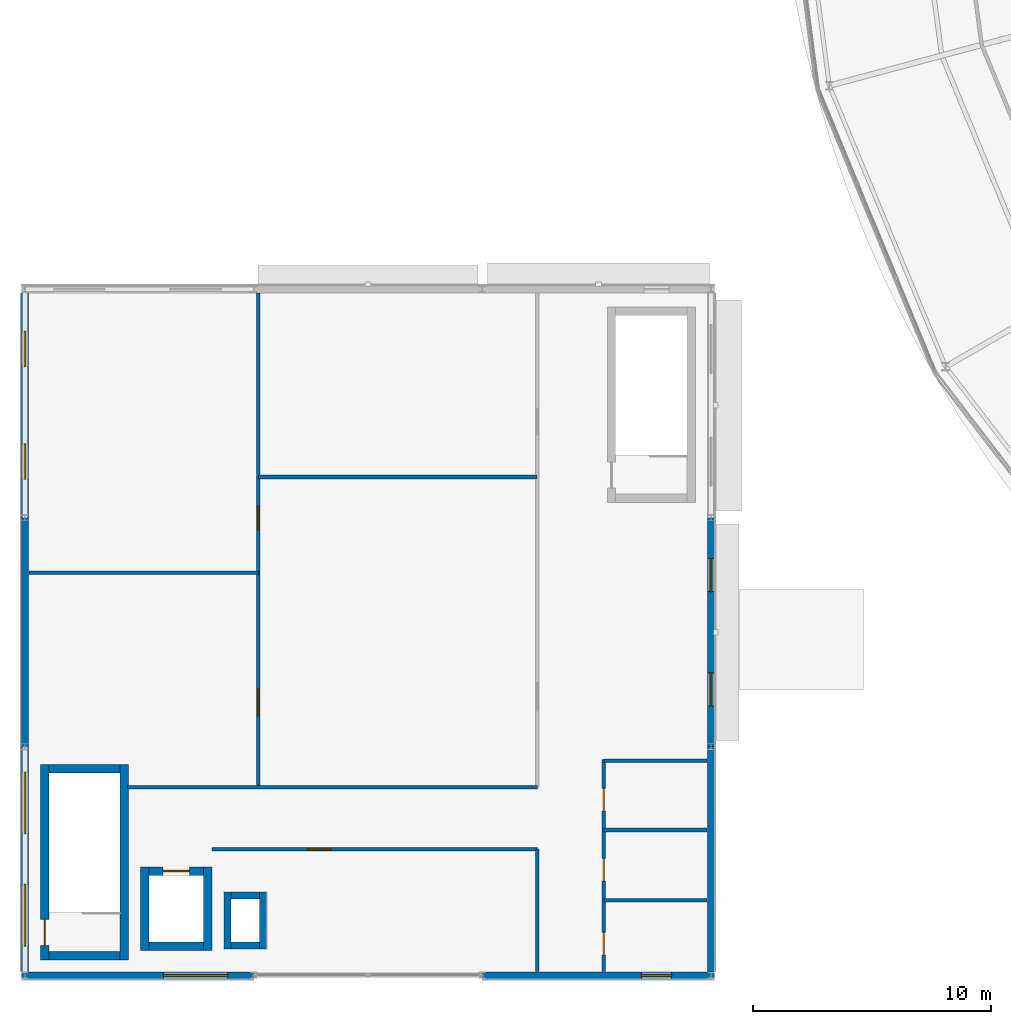
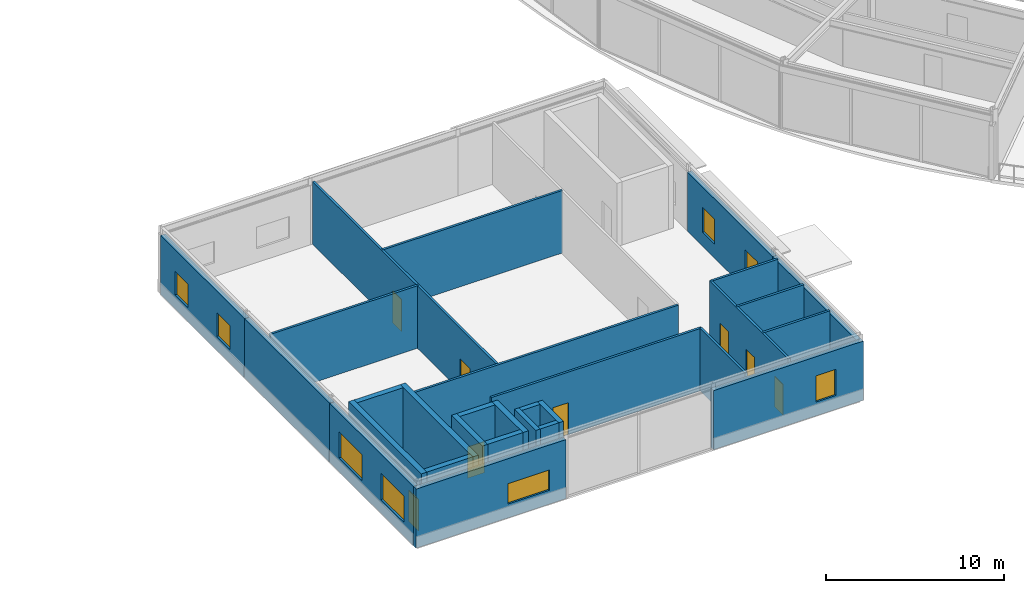
# One storey, part 100 of 133: 29 walls, 8 doors, 8 windows, 16 openings.
"""IFC4 building model written with IfcOpenShell, lengths in metres."""

from ifc_helpers import new_model, si_unit, direction, frame, frame_2d, origin, place, context, subcontext, project, spatial, rectangle, extrude, material, layer, layer_set, type_object, element, fill, save


model = new_model("IFC4")

# Units and contexts
model_context = context("Model", 3, precision=1e-05, world=origin(), true_north=direction((0.0, 1.0)))
body_context = subcontext(model_context, "Body", "Model", "MODEL_VIEW")
ifc_project = project(units=[si_unit("LENGTHUNIT", "METRE"), si_unit("AREAUNIT", "SQUARE_METRE"), si_unit("VOLUMEUNIT", "CUBIC_METRE"), si_unit("PLANEANGLEUNIT", "RADIAN"), si_unit("MASSUNIT", "GRAM", prefix="KILO")], contexts=[model_context])

# Site, building, storey
site_placement = place(None, origin())
site = spatial("IfcSite", under=ifc_project, at=site_placement, CompositionType="ELEMENT")
building_placement = place(site_placement, origin())
building = spatial("IfcBuilding", under=site, at=building_placement, Name="Almandine Court Research Institute", CompositionType="ELEMENT")
storey_placement = place(building_placement, frame((0.0, 0.0, 9.800048828125)))
storey = spatial("IfcBuildingStorey", under=building, at=storey_placement, Name="L02", CompositionType="ELEMENT", Elevation=9.800048828125)

# Wall, openings, windows
ifc_material_1 = material(Name="Acoustic Lecture Pavilion Masonry Wall", Category="masonry")
ifc_layer_1 = layer(ifc_material_1, 0.31005859375)
ifc_layer_set_1 = layer_set([ifc_layer_1], Name="Acoustic Lecture Pavilion Masonry Wall")
wall_type_1 = type_object("IfcWallType", Name="Wall-EXT-ACOU-310", PredefinedType="SOLIDWALL", material=ifc_layer_set_1)
wall_1_placement = place(storey_placement, frame((6.0, 6.158935546875, 0.0), z_axis=(0.0, 0.0, 1.0), x_axis=(0.0, 1.0, 0.0)))
wall_1 = element("IfcWall", 1, at=wall_1_placement, inside=storey, type_object=wall_type_1, Name="L02 Lecture Pavilion West Acoustic Wall 1", PredefinedType="SOLIDWALL", context=body_context, shape_type="SweptSolid", body=[
    extrude(rectangle(XDim=9.43701171875, YDim=0.31005859375, at=frame_2d((4.718505859375, 0.0))), origin(), (0.0, 0.0, 1.0), 4.06396484375),
])
opening_1_placement = place(wall_1_placement, frame((1.06396484375, 0.0, 0.949951171875)))
opening_1 = element("IfcOpeningElement", 2, at=opening_1_placement, cuts=wall_1, Name="Opening WN-13", PredefinedType="OPENING", context=body_context, shape_type="SweptSolid", body=[
    extrude(rectangle(XDim=2.590087890625, YDim=1.800048828125, at=frame_2d((1.294921875, 0.89990234375))), frame((0.0, 0.1650390625, 0.0), z_axis=(0.0, -1.0, 0.0), x_axis=(1.0, 0.0, 0.0)), (0.0, 0.0, 1.0), 0.330078125),
])
opening_2_placement = place(wall_1_placement, frame((5.782958984375, 0.0, 0.949951171875)))
opening_2 = element("IfcOpeningElement", 3, at=opening_2_placement, cuts=wall_1, Name="Opening WN-13", PredefinedType="OPENING", context=body_context, shape_type="SweptSolid", body=[
    extrude(rectangle(XDim=2.590087890625, YDim=1.800048828125, at=frame_2d((1.294921875, 0.89990234375))), frame((0.0, 0.1650390625, 0.0), z_axis=(0.0, -1.0, 0.0), x_axis=(1.0, 0.0, 0.0)), (0.0, 0.0, 1.0), 0.330078125),
])
ifc_material_2 = material(Name="Thermally Broken Low-E Double-Glazed Window", Category="glass")
window_type_1 = type_object("IfcWindowType", Name="Win-WN-13-2590x1800", PartitioningType="SINGLE_PANEL", PredefinedType="WINDOW", material=ifc_material_2)
window_1_placement = place(opening_1_placement, origin())
window_1 = element("IfcWindow", 4, at=window_1_placement, inside=storey, type_object=window_type_1, Name="L02 Modular Recessed Low-E Window 22", OverallHeight=1.800048828125, OverallWidth=2.590087890625, PartitioningType="SINGLE_PANEL", PredefinedType="WINDOW", context=body_context, shape_type="SweptSolid", body=[
    extrude(rectangle(XDim=2.590087890625, YDim=1.800048828125, at=frame_2d((1.294921875, 0.89990234375))), frame((0.0, 0.030029296875, 0.0), z_axis=(0.0, -1.0, 0.0), x_axis=(1.0, 0.0, 0.0)), (0.0, 0.0, 1.0), 0.06005859375),
])
fill(opening_1, window_1)
window_2_placement = place(opening_2_placement, origin())
window_2 = element("IfcWindow", 5, at=window_2_placement, inside=storey, type_object=window_type_1, Name="L02 Modular Recessed Low-E Window 23", OverallHeight=1.800048828125, OverallWidth=2.590087890625, PartitioningType="SINGLE_PANEL", PredefinedType="WINDOW", context=body_context, shape_type="SweptSolid", body=[
    extrude(rectangle(XDim=2.590087890625, YDim=1.800048828125, at=frame_2d((1.294921875, 0.89990234375))), frame((0.0, 0.030029296875, 0.0), z_axis=(0.0, -1.0, 0.0), x_axis=(1.0, 0.0, 0.0)), (0.0, 0.0, 1.0), 0.06005859375),
])
fill(opening_2, window_2)

# Wall
wall_2_placement = place(storey_placement, frame((6.0, 15.60400390625, 0.0), z_axis=(0.0, 0.0, 1.0), x_axis=(0.0, 1.0, 0.0)))
element("IfcWall", 6, at=wall_2_placement, inside=storey, type_object=wall_type_1, Name="L02 Lecture Pavilion West Acoustic Wall 2", PredefinedType="SOLIDWALL", context=body_context, shape_type="SweptSolid", body=[
    extrude(rectangle(XDim=9.592041015625, YDim=0.31005859375, at=frame_2d((4.7958984375, 0.0))), origin(), (0.0, 0.0, 1.0), 4.06396484375),
])

# Wall, openings, windows
wall_3_placement = place(storey_placement, frame((6.0, 25.2041015625, 0.0), z_axis=(0.0, 0.0, 1.0), x_axis=(0.0, 1.0, 0.0)))
wall_3 = element("IfcWall", 7, at=wall_3_placement, inside=storey, type_object=wall_type_1, Name="L02 Lecture Pavilion West Acoustic Wall 3", PredefinedType="SOLIDWALL", context=body_context, shape_type="SweptSolid", body=[
    extrude(rectangle(XDim=9.43701171875, YDim=0.31005859375, at=frame_2d((4.718505859375, 0.0))), origin(), (0.0, 0.0, 1.0), 4.06396484375),
])
opening_3_placement = place(wall_3_placement, frame((1.614013671875, 0.0, 0.949951171875)))
opening_3 = element("IfcOpeningElement", 8, at=opening_3_placement, cuts=wall_3, Name="Opening WN-14", PredefinedType="OPENING", context=body_context, shape_type="SweptSolid", body=[
    extrude(rectangle(XDim=1.489990234375, YDim=1.639892578125, at=frame_2d((0.7451171875, 0.81982421875))), frame((0.0, 0.1650390625, 0.0), z_axis=(0.0, -1.0, 0.0), x_axis=(1.0, 0.0, 0.0)), (0.0, 0.0, 1.0), 0.330078125),
])
opening_4_placement = place(wall_3_placement, frame((6.3330078125, 0.0, 0.949951171875)))
opening_4 = element("IfcOpeningElement", 9, at=opening_4_placement, cuts=wall_3, Name="Opening WN-14", PredefinedType="OPENING", context=body_context, shape_type="SweptSolid", body=[
    extrude(rectangle(XDim=1.489990234375, YDim=1.639892578125, at=frame_2d((0.7451171875, 0.81982421875))), frame((0.0, 0.1650390625, 0.0), z_axis=(0.0, -1.0, 0.0), x_axis=(1.0, 0.0, 0.0)), (0.0, 0.0, 1.0), 0.330078125),
])
window_type_2 = type_object("IfcWindowType", Name="Win-WN-14-1490x1640", PartitioningType="SINGLE_PANEL", PredefinedType="WINDOW", material=ifc_material_2)
window_3_placement = place(opening_3_placement, origin())
window_3 = element("IfcWindow", 10, at=window_3_placement, inside=storey, type_object=window_type_2, Name="L02 Modular Recessed Low-E Window 24", OverallHeight=1.639892578125, OverallWidth=1.489990234375, PartitioningType="SINGLE_PANEL", PredefinedType="WINDOW", context=body_context, shape_type="SweptSolid", body=[
    extrude(rectangle(XDim=1.489990234375, YDim=1.639892578125, at=frame_2d((0.7451171875, 0.81982421875))), frame((0.0, 0.030029296875, 0.0), z_axis=(0.0, -1.0, 0.0), x_axis=(1.0, 0.0, 0.0)), (0.0, 0.0, 1.0), 0.06005859375),
])
fill(opening_3, window_3)
window_4_placement = place(opening_4_placement, origin())
window_4 = element("IfcWindow", 11, at=window_4_placement, inside=storey, type_object=window_type_2, Name="L02 Modular Recessed Low-E Window 25", OverallHeight=1.639892578125, OverallWidth=1.489990234375, PartitioningType="SINGLE_PANEL", PredefinedType="WINDOW", context=body_context, shape_type="SweptSolid", body=[
    extrude(rectangle(XDim=1.489990234375, YDim=1.639892578125, at=frame_2d((0.7451171875, 0.81982421875))), frame((0.0, 0.030029296875, 0.0), z_axis=(0.0, -1.0, 0.0), x_axis=(1.0, 0.0, 0.0)), (0.0, 0.0, 1.0), 0.06005859375),
])
fill(opening_4, window_4)

# Wall
ifc_material_3 = material(Name="Insulated Ochre Terracotta Rainscreen Wall", Category="masonry")
ifc_layer_2 = layer(ifc_material_3, 0.2900390625)
ifc_layer_set_2 = layer_set([ifc_layer_2], Name="Insulated Ochre Terracotta Rainscreen Wall")
wall_type_2 = type_object("IfcWallType", Name="Wall-EXT-TERR-290", PredefinedType="SOLIDWALL", material=ifc_layer_set_2)
wall_4_placement = place(storey_placement, frame((34.800048828125, 15.595947265625, 0.0), z_axis=(0.0, 0.0, 1.0), x_axis=(0.0, -1.0, 0.0)))
element("IfcWall", 12, at=wall_4_placement, inside=storey, type_object=wall_type_2, Name="L02 Lecture Pavilion East Wall 1", PredefinedType="SOLIDWALL", context=body_context, shape_type="SweptSolid", body=[
    extrude(rectangle(XDim=9.447021484375, YDim=0.2900390625, at=frame_2d((4.7236328125, 0.0))), origin(), (0.0, 0.0, 1.0), 4.06396484375),
])

# Wall, openings, windows
wall_5_placement = place(storey_placement, frame((34.800048828125, 25.196044921875, 0.0), z_axis=(0.0, 0.0, 1.0), x_axis=(0.0, -1.0, 0.0)))
wall_5 = element("IfcWall", 13, at=wall_5_placement, inside=storey, type_object=wall_type_2, Name="L02 Lecture Pavilion East Wall 2", PredefinedType="SOLIDWALL", context=body_context, shape_type="SweptSolid", body=[
    extrude(rectangle(XDim=9.592041015625, YDim=0.2900390625, at=frame_2d((4.7958984375, 0.0))), origin(), (0.0, 0.0, 1.0), 4.06396484375),
])
opening_5_placement = place(wall_5_placement, frame((1.7080078125, 0.0, 0.949951171875)))
opening_5 = element("IfcOpeningElement", 14, at=opening_5_placement, cuts=wall_5, Name="Opening WN-17", PredefinedType="OPENING", context=body_context, shape_type="SweptSolid", body=[
    extrude(rectangle(XDim=1.3798828125, YDim=1.719970703125, at=frame_2d((0.68994140625, 0.85986328125))), frame((0.0, 0.155029296875, 0.0), z_axis=(0.0, -1.0, 0.0), x_axis=(1.0, 0.0, 0.0)), (0.0, 0.0, 1.0), 0.31005859375),
])
opening_6_placement = place(wall_5_placement, frame((6.50390625, 0.0, 0.949951171875)))
opening_6 = element("IfcOpeningElement", 15, at=opening_6_placement, cuts=wall_5, Name="Opening WN-17", PredefinedType="OPENING", context=body_context, shape_type="SweptSolid", body=[
    extrude(rectangle(XDim=1.3798828125, YDim=1.719970703125, at=frame_2d((0.68994140625, 0.85986328125))), frame((0.0, 0.155029296875, 0.0), z_axis=(0.0, -1.0, 0.0), x_axis=(1.0, 0.0, 0.0)), (0.0, 0.0, 1.0), 0.31005859375),
])
window_type_3 = type_object("IfcWindowType", Name="Win-WN-17-1380x1720", PartitioningType="SINGLE_PANEL", PredefinedType="WINDOW", material=ifc_material_2)
window_5_placement = place(opening_5_placement, origin())
window_5 = element("IfcWindow", 16, at=window_5_placement, inside=storey, type_object=window_type_3, Name="L02 Modular Recessed Low-E Window 29", OverallHeight=1.719970703125, OverallWidth=1.3798828125, PartitioningType="SINGLE_PANEL", PredefinedType="WINDOW", context=body_context, shape_type="SweptSolid", body=[
    extrude(rectangle(XDim=1.3798828125, YDim=1.719970703125, at=frame_2d((0.68994140625, 0.85986328125))), frame((0.0, 0.030029296875, 0.0), z_axis=(0.0, -1.0, 0.0), x_axis=(1.0, 0.0, 0.0)), (0.0, 0.0, 1.0), 0.06005859375),
])
fill(opening_5, window_5)
window_6_placement = place(opening_6_placement, origin())
window_6 = element("IfcWindow", 17, at=window_6_placement, inside=storey, type_object=window_type_3, Name="L02 Modular Recessed Low-E Window 30", OverallHeight=1.719970703125, OverallWidth=1.3798828125, PartitioningType="SINGLE_PANEL", PredefinedType="WINDOW", context=body_context, shape_type="SweptSolid", body=[
    extrude(rectangle(XDim=1.3798828125, YDim=1.719970703125, at=frame_2d((0.68994140625, 0.85986328125))), frame((0.0, 0.030029296875, 0.0), z_axis=(0.0, -1.0, 0.0), x_axis=(1.0, 0.0, 0.0)), (0.0, 0.0, 1.0), 0.06005859375),
])
fill(opening_6, window_6)

# Wall, opening, window
wall_6_placement = place(storey_placement, frame((15.595947265625, 6.0, 0.0), z_axis=(0.0, 0.0, 1.0), x_axis=(-1.0, 0.0, 0.0)))
wall_6 = element("IfcWall", 18, at=wall_6_placement, inside=storey, type_object=wall_type_2, Name="L02 Lecture Pavilion South Boulevard Wall 1", PredefinedType="SOLIDWALL", context=body_context, shape_type="SweptSolid", body=[
    extrude(rectangle(XDim=9.740966796875, YDim=0.2900390625, at=frame_2d((4.87060546875, 0.0))), origin(), (0.0, 0.0, 1.0), 4.06396484375),
])
opening_7_placement = place(wall_6_placement, frame((1.0849609375, 0.0, 0.949951171875)))
opening_7 = element("IfcOpeningElement", 19, at=opening_7_placement, cuts=wall_6, Name="Opening WN-19", PredefinedType="OPENING", context=body_context, shape_type="SweptSolid", body=[
    extrude(rectangle(XDim=2.699951171875, YDim=1.39990234375, at=frame_2d((1.35009765625, 0.699951171875))), frame((0.0, 0.155029296875, 0.0), z_axis=(0.0, -1.0, 0.0), x_axis=(1.0, 0.0, 0.0)), (0.0, 0.0, 1.0), 0.31005859375),
])
window_type_4 = type_object("IfcWindowType", Name="Win-WN-19-2700x1400", PartitioningType="SINGLE_PANEL", PredefinedType="WINDOW", material=ifc_material_2)
window_7_placement = place(opening_7_placement, origin())
window_7 = element("IfcWindow", 20, at=window_7_placement, inside=storey, type_object=window_type_4, Name="L02 Modular Recessed Low-E Window 33", OverallHeight=1.39990234375, OverallWidth=2.699951171875, PartitioningType="SINGLE_PANEL", PredefinedType="WINDOW", context=body_context, shape_type="SweptSolid", body=[
    extrude(rectangle(XDim=2.699951171875, YDim=1.39990234375, at=frame_2d((1.35009765625, 0.699951171875))), frame((0.0, 0.030029296875, 0.0), z_axis=(0.0, -1.0, 0.0), x_axis=(1.0, 0.0, 0.0)), (0.0, 0.0, 1.0), 0.06005859375),
])
fill(opening_7, window_7)

wall_7_placement = place(storey_placement, frame((34.945068359375, 6.0, 0.0), z_axis=(0.0, 0.0, 1.0), x_axis=(-1.0, 0.0, 0.0)))
wall_7 = element("IfcWall", 21, at=wall_7_placement, inside=storey, type_object=wall_type_2, Name="L02 Lecture Pavilion South Boulevard Wall 3", PredefinedType="SOLIDWALL", context=body_context, shape_type="SweptSolid", body=[
    extrude(rectangle(XDim=9.740966796875, YDim=0.2900390625, at=frame_2d((4.87060546875, 0.0))), origin(), (0.0, 0.0, 1.0), 4.06396484375),
])
opening_8_placement = place(wall_7_placement, frame((1.800048828125, 0.0, 0.949951171875)))
opening_8 = element("IfcOpeningElement", 22, at=opening_8_placement, cuts=wall_7, Name="Opening WN-20", PredefinedType="OPENING", context=body_context, shape_type="SweptSolid", body=[
    extrude(rectangle(XDim=1.27001953125, YDim=1.800048828125, at=frame_2d((0.635009765625, 0.89990234375))), frame((0.0, 0.155029296875, 0.0), z_axis=(0.0, -1.0, 0.0), x_axis=(1.0, 0.0, 0.0)), (0.0, 0.0, 1.0), 0.31005859375),
])
window_type_5 = type_object("IfcWindowType", Name="Win-WN-20-1270x1800", PartitioningType="SINGLE_PANEL", PredefinedType="WINDOW", material=ifc_material_2)
window_8_placement = place(opening_8_placement, origin())
window_8 = element("IfcWindow", 23, at=window_8_placement, inside=storey, type_object=window_type_5, Name="L02 Modular Recessed Low-E Window 34", OverallHeight=1.800048828125, OverallWidth=1.27001953125, PartitioningType="SINGLE_PANEL", PredefinedType="WINDOW", context=body_context, shape_type="SweptSolid", body=[
    extrude(rectangle(XDim=1.27001953125, YDim=1.800048828125, at=frame_2d((0.635009765625, 0.89990234375))), frame((0.0, 0.030029296875, 0.0), z_axis=(0.0, -1.0, 0.0), x_axis=(1.0, 0.0, 0.0)), (0.0, 0.0, 1.0), 0.06005859375),
])
fill(opening_8, window_8)

# Walls
ifc_material_4 = material(Name="Acoustic Steel-Stud Gypsum Partition Wall", Category="steel")
ifc_layer_3 = layer(ifc_material_4, 0.14990234375)
ifc_layer_set_3 = layer_set([ifc_layer_3], Name="Acoustic Steel-Stud Gypsum Partition Wall")
wall_type_3 = type_object("IfcWallType", Name="Wall-PART-150", PredefinedType="PARTITIONING", material=ifc_layer_set_3)
for number, where, z_axis, x_axis, name in (
    (24, (30.300048828125, 9.14990234375, 0.0), (0.0, 0.0, 1.0), (1.0, 0.0, 0.0), "L02 Interior Partition W-V1-L02-WCH-1"),
    (25, (30.300048828125, 12.10009765625, 0.0), (0.0, 0.0, 1.0), (1.0, 0.0, 0.0), "L02 Interior Partition W-V1-L02-WCH-2"),
    (26, (30.300048828125, 15.0, 0.0), (0.0, 0.0, 1.0), (1.0, 0.0, 0.0), "L02 Interior Partition W-V1-L02-WCH-3"),
):
    element("IfcWall", number, at=place(storey_placement, frame(where, z_axis=z_axis, x_axis=x_axis)), inside=storey, type_object=wall_type_3, Name=name, PredefinedType="PARTITIONING", context=body_context, shape_type="SweptSolid", body=[
        extrude(rectangle(XDim=4.33984375, YDim=0.14990234375, at=frame_2d((2.169921875, 0.0))), origin(), (0.0, 0.0, 1.0), 4.300048828125),
    ])

# Wall, openings, doors
wall_8_placement = place(storey_placement, frame((30.300048828125, 6.159912109375, 0.0), z_axis=(0.0, 0.0, 1.0), x_axis=(0.0, 1.0, 0.0)))
wall_8 = element("IfcWall", 27, at=wall_8_placement, inside=storey, type_object=wall_type_3, Name="L02 Interior Partition W-V1-L02-WC-ALL", PredefinedType="PARTITIONING", context=body_context, shape_type="SweptSolid", body=[
    extrude(rectangle(XDim=8.89013671875, YDim=0.14990234375, at=frame_2d((4.445068359375, 0.0))), origin(), (0.0, 0.0, 1.0), 4.300048828125),
])
opening_9_placement = place(wall_8_placement, frame((0.68994140625, 0.0, 0.0)))
opening_9 = element("IfcOpeningElement", 28, at=opening_9_placement, cuts=wall_8, Name="Opening D-01", PredefinedType="OPENING", context=body_context, shape_type="SweptSolid", body=[
    extrude(rectangle(XDim=0.949951171875, YDim=2.10009765625, at=frame_2d((0.47509765625, 1.050048828125))), frame((0.0, 0.0849609375, 0.0), z_axis=(0.0, -1.0, 0.0), x_axis=(1.0, 0.0, 0.0)), (0.0, 0.0, 1.0), 0.169921875),
])
opening_10_placement = place(wall_8_placement, frame((3.7900390625, 0.0, 0.0)))
opening_10 = element("IfcOpeningElement", 29, at=opening_10_placement, cuts=wall_8, Name="Opening D-01", PredefinedType="OPENING", context=body_context, shape_type="SweptSolid", body=[
    extrude(rectangle(XDim=0.949951171875, YDim=2.10009765625, at=frame_2d((0.47509765625, 1.050048828125))), frame((0.0, 0.0849609375, 0.0), z_axis=(0.0, -1.0, 0.0), x_axis=(1.0, 0.0, 0.0)), (0.0, 0.0, 1.0), 0.169921875),
])
opening_11_placement = place(wall_8_placement, frame((6.739990234375, 0.0, 0.0)))
opening_11 = element("IfcOpeningElement", 30, at=opening_11_placement, cuts=wall_8, Name="Opening D-01", PredefinedType="OPENING", context=body_context, shape_type="SweptSolid", body=[
    extrude(rectangle(XDim=0.949951171875, YDim=2.10009765625, at=frame_2d((0.47509765625, 1.050048828125))), frame((0.0, 0.0849609375, 0.0), z_axis=(0.0, -1.0, 0.0), x_axis=(1.0, 0.0, 0.0)), (0.0, 0.0, 1.0), 0.169921875),
])
ifc_material_5 = material(Name="Solid-Core Timber Acoustic Room Door", Category="wood")
door_type_1 = type_object("IfcDoorType", Name="Door-INT-950", OperationType="NOTDEFINED", PredefinedType="DOOR", material=ifc_material_5)
door_1_placement = place(opening_9_placement, origin())
door_1 = element("IfcDoor", 31, at=door_1_placement, inside=storey, type_object=door_type_1, Name="L02 V1 Male Toilet Door", OperationType="SINGLE_SWING_LEFT", OverallHeight=2.10009765625, OverallWidth=0.949951171875, PredefinedType="DOOR", context=body_context, shape_type="SweptSolid", body=[
    extrude(rectangle(XDim=0.949951171875, YDim=2.10009765625, at=frame_2d((0.47509765625, 1.050048828125))), frame((0.0, 0.02490234375, 0.0), z_axis=(0.0, -1.0, 0.0), x_axis=(1.0, 0.0, 0.0)), (0.0, 0.0, 1.0), 0.050048828125),
])
fill(opening_9, door_1)
door_2_placement = place(opening_10_placement, origin())
door_2 = element("IfcDoor", 32, at=door_2_placement, inside=storey, type_object=door_type_1, Name="L02 V1 Female Toilet Door", OperationType="SINGLE_SWING_RIGHT", OverallHeight=2.10009765625, OverallWidth=0.949951171875, PredefinedType="DOOR", context=body_context, shape_type="SweptSolid", body=[
    extrude(rectangle(XDim=0.949951171875, YDim=2.10009765625, at=frame_2d((0.47509765625, 1.050048828125))), frame((0.0, 0.02490234375, 0.0), z_axis=(0.0, -1.0, 0.0), x_axis=(1.0, 0.0, 0.0)), (0.0, 0.0, 1.0), 0.050048828125),
])
fill(opening_10, door_2)
door_3_placement = place(opening_11_placement, origin())
door_3 = element("IfcDoor", 33, at=door_3_placement, inside=storey, type_object=door_type_1, Name="L02 V1 Accessible WC Door", OperationType="SINGLE_SWING_LEFT", OverallHeight=2.10009765625, OverallWidth=0.949951171875, PredefinedType="DOOR", context=body_context, shape_type="SweptSolid", body=[
    extrude(rectangle(XDim=0.949951171875, YDim=2.10009765625, at=frame_2d((0.47509765625, 1.050048828125))), frame((0.0, 0.02490234375, 0.0), z_axis=(0.0, -1.0, 0.0), x_axis=(1.0, 0.0, 0.0)), (0.0, 0.0, 1.0), 0.050048828125),
])
fill(opening_11, door_3)

# Wall, opening, door
wall_9_placement = place(storey_placement, frame((13.85009765625, 11.300048828125, 0.0), z_axis=(0.0, 0.0, 1.0), x_axis=(1.0, 0.0, 0.0)))
wall_9 = element("IfcWall", 34, at=wall_9_placement, inside=storey, type_object=wall_type_3, Name="L02 Interior Partition W-V1-L02-S", PredefinedType="PARTITIONING", context=body_context, shape_type="SweptSolid", body=[
    extrude(rectangle(XDim=13.669921875, YDim=0.14990234375, at=frame_2d((6.8349609375, 0.0))), origin(), (0.0, 0.0, 1.0), 4.300048828125),
])
opening_12_placement = place(wall_9_placement, frame((4.0, 0.0, 0.0)))
opening_12 = element("IfcOpeningElement", 35, at=opening_12_placement, cuts=wall_9, Name="Opening D-02", PredefinedType="OPENING", context=body_context, shape_type="SweptSolid", body=[
    extrude(rectangle(XDim=1.0, YDim=2.199951171875, at=frame_2d((0.5, 1.10009765625))), frame((0.0, 0.0849609375, 0.0), z_axis=(0.0, -1.0, 0.0), x_axis=(1.0, 0.0, 0.0)), (0.0, 0.0, 1.0), 0.169921875),
])
ifc_material_6 = material(Name="Solid-Core Timber Researcher Office Door", Category="wood")
door_type_2 = type_object("IfcDoorType", Name="Door-INT-1000", OperationType="NOTDEFINED", PredefinedType="DOOR", material=ifc_material_6)
door_4_placement = place(opening_12_placement, origin())
door_4 = element("IfcDoor", 36, at=door_4_placement, inside=storey, type_object=door_type_2, Name="L02 Faculty Study Door", OperationType="SINGLE_SWING_RIGHT", OverallHeight=2.199951171875, OverallWidth=1.0, PredefinedType="DOOR", context=body_context, shape_type="SweptSolid", body=[
    extrude(rectangle(XDim=1.0, YDim=2.199951171875, at=frame_2d((0.5, 1.10009765625))), frame((0.0, 0.02490234375, 0.0), z_axis=(0.0, -1.0, 0.0), x_axis=(1.0, 0.0, 0.0)), (0.0, 0.0, 1.0), 0.050048828125),
])
fill(opening_12, door_4)

# Walls
wall_10_placement = place(storey_placement, frame((27.5, 6.159912109375, 0.0), z_axis=(0.0, 0.0, 1.0), x_axis=(0.0, 1.0, 0.0)))
element("IfcWall", 37, at=wall_10_placement, inside=storey, type_object=wall_type_3, Name="L02 Interior Partition W-V1-L02-SE", PredefinedType="PARTITIONING", context=body_context, shape_type="SweptSolid", body=[
    extrude(rectangle(XDim=5.14013671875, YDim=0.14990234375, at=frame_2d((2.570068359375, 0.0))), origin(), (0.0, 0.0, 1.0), 4.300048828125),
])
wall_11_placement = place(storey_placement, frame((10.300048828125, 13.89990234375, 0.0), z_axis=(0.0, 0.0, 1.0), x_axis=(1.0, 0.0, 0.0)))
element("IfcWall", 38, at=wall_11_placement, inside=storey, type_object=wall_type_3, Name="L02 Interior Partition W-V1-L02-CS", PredefinedType="PARTITIONING", context=body_context, shape_type="SweptSolid", body=[
    extrude(rectangle(XDim=17.219970703125, YDim=0.14990234375, at=frame_2d((8.60986328125, 0.0))), origin(), (0.0, 0.0, 1.0), 4.300048828125),
])
wall_12_placement = place(storey_placement, frame((15.800048828125, 26.919921875, 0.0), z_axis=(0.0, 0.0, 1.0), x_axis=(1.0, 0.0, 0.0)))
element("IfcWall", 39, at=wall_12_placement, inside=storey, type_object=wall_type_3, Name="L02 Interior Partition W-V1-L02-CDIV", PredefinedType="PARTITIONING", context=body_context, shape_type="SweptSolid", body=[
    extrude(rectangle(XDim=11.699951171875, YDim=0.14990234375, at=frame_2d((5.85009765625, 0.0))), origin(), (0.0, 0.0, 1.0), 4.300048828125),
])

# Wall, openings, doors
wall_13_placement = place(storey_placement, frame((15.800048828125, 13.89990234375, 0.0), z_axis=(0.0, 0.0, 1.0), x_axis=(0.0, 1.0, 0.0)))
wall_13 = element("IfcWall", 40, at=wall_13_placement, inside=storey, type_object=wall_type_3, Name="L02 Interior Partition W-V1-L02-W", PredefinedType="PARTITIONING", context=body_context, shape_type="SweptSolid", body=[
    extrude(rectangle(XDim=20.739990234375, YDim=0.14990234375, at=frame_2d((10.3701171875, 0.0))), origin(), (0.0, 0.0, 1.0), 4.300048828125),
])
opening_13_placement = place(wall_13_placement, frame((3.0, 0.0, 0.0)))
opening_13 = element("IfcOpeningElement", 41, at=opening_13_placement, cuts=wall_13, Name="Opening D-03", PredefinedType="OPENING", context=body_context, shape_type="SweptSolid", body=[
    extrude(rectangle(XDim=1.10009765625, YDim=2.199951171875, at=frame_2d((0.550048828125, 1.10009765625))), frame((0.0, 0.0849609375, 0.0), z_axis=(0.0, -1.0, 0.0), x_axis=(1.0, 0.0, 0.0)), (0.0, 0.0, 1.0), 0.169921875),
])
opening_14_placement = place(wall_13_placement, frame((10.800048828125, 0.0, 0.0)))
opening_14 = element("IfcOpeningElement", 42, at=opening_14_placement, cuts=wall_13, Name="Opening D-02", PredefinedType="OPENING", context=body_context, shape_type="SweptSolid", body=[
    extrude(rectangle(XDim=1.0, YDim=2.199951171875, at=frame_2d((0.5, 1.10009765625))), frame((0.0, 0.0849609375, 0.0), z_axis=(0.0, -1.0, 0.0), x_axis=(1.0, 0.0, 0.0)), (0.0, 0.0, 1.0), 0.169921875),
])
door_5_placement = place(opening_14_placement, origin())
door_5 = element("IfcDoor", 43, at=door_5_placement, inside=storey, type_object=door_type_2, Name="L02 Write-up Office Door", OperationType="SINGLE_SWING_RIGHT", OverallHeight=2.199951171875, OverallWidth=1.0, PredefinedType="DOOR", context=body_context, shape_type="SweptSolid", body=[
    extrude(rectangle(XDim=1.0, YDim=2.199951171875, at=frame_2d((0.5, 1.10009765625))), frame((0.0, 0.02490234375, 0.0), z_axis=(0.0, -1.0, 0.0), x_axis=(1.0, 0.0, 0.0)), (0.0, 0.0, 1.0), 0.050048828125),
])
fill(opening_14, door_5)
ifc_material_7 = material(Name="Acoustic Vision-Panel Seminar Door")
door_type_3 = type_object("IfcDoorType", Name="Door-INT-1100", OperationType="NOTDEFINED", PredefinedType="DOOR", material=ifc_material_7)
door_6_placement = place(opening_13_placement, origin())
door_6 = element("IfcDoor", 44, at=door_6_placement, inside=storey, type_object=door_type_3, Name="L02 Computational Lab Door", OperationType="SINGLE_SWING_LEFT", OverallHeight=2.199951171875, OverallWidth=1.10009765625, PredefinedType="DOOR", context=body_context, shape_type="SweptSolid", body=[
    extrude(rectangle(XDim=1.10009765625, YDim=2.199951171875, at=frame_2d((0.550048828125, 1.10009765625))), frame((0.0, 0.02490234375, 0.0), z_axis=(0.0, -1.0, 0.0), x_axis=(1.0, 0.0, 0.0)), (0.0, 0.0, 1.0), 0.050048828125),
])
fill(opening_13, door_6)

# Walls
wall_14_placement = place(storey_placement, frame((6.159912109375, 22.89990234375, 0.0), z_axis=(0.0, 0.0, 1.0), x_axis=(1.0, 0.0, 0.0)))
element("IfcWall", 45, at=wall_14_placement, inside=storey, type_object=wall_type_3, Name="L02 Interior Partition W-V1-L02-M", PredefinedType="PARTITIONING", context=body_context, shape_type="SweptSolid", body=[
    extrude(rectangle(XDim=9.64013671875, YDim=0.14990234375, at=frame_2d((4.820068359375, 0.0))), origin(), (0.0, 0.0, 1.0), 4.300048828125),
])
ifc_material_8 = material(Name="Concrete C40/50", Category="concrete")
ifc_layer_4 = layer(ifc_material_8, 0.300048828125)
ifc_layer_set_4 = layer_set([ifc_layer_4], Name="Concrete C40/50")
wall_type_4 = type_object("IfcWallType", Name="Wall-SW-CORE-300", PredefinedType="SHEAR", material=ifc_layer_set_4)
wall_15_placement = place(storey_placement, frame((14.5, 7.10009765625, 0.0), z_axis=(0.0, 0.0, 1.0), x_axis=(0.0, 1.0, 0.0)))
element("IfcWall", 46, at=wall_15_placement, inside=storey, type_object=wall_type_4, Name="L02 MEP Riser RS-V1 W Shear Wall", PredefinedType="SHEAR", context=body_context, shape_type="SweptSolid", body=[
    extrude(rectangle(XDim=2.39990234375, YDim=0.300048828125, at=frame_2d((1.199951171875, 0.0))), origin(), (0.0, 0.0, 1.0), 4.369873046875),
])
wall_16_placement = place(storey_placement, frame((14.64990234375, 9.35009765625, 0.0), z_axis=(0.0, 0.0, 1.0), x_axis=(1.0, 0.0, 0.0)))
element("IfcWall", 47, at=wall_16_placement, inside=storey, type_object=wall_type_4, Name="L02 MEP Riser RS-V1 N Shear Wall", PredefinedType="SHEAR", context=body_context, shape_type="SweptSolid", body=[
    extrude(rectangle(XDim=1.2001953125, YDim=0.300048828125, at=frame_2d((0.60009765625, 0.0))), origin(), (0.0, 0.0, 1.0), 4.369873046875),
])
wall_17_placement = place(storey_placement, frame((16.0, 9.5, 0.0), z_axis=(0.0, 0.0, 1.0), x_axis=(0.0, -1.0, 0.0)))
element("IfcWall", 48, at=wall_17_placement, inside=storey, type_object=wall_type_4, Name="L02 MEP Riser RS-V1 E Shear Wall", PredefinedType="SHEAR", context=body_context, shape_type="SweptSolid", body=[
    extrude(rectangle(XDim=2.39990234375, YDim=0.300048828125, at=frame_2d((1.199951171875, 0.0))), origin(), (0.0, 0.0, 1.0), 4.369873046875),
])
wall_18_placement = place(storey_placement, frame((15.85009765625, 7.25, 0.0), z_axis=(0.0, 0.0, 1.0), x_axis=(-1.0, 0.0, 0.0)))
element("IfcWall", 49, at=wall_18_placement, inside=storey, type_object=wall_type_4, Name="L02 MEP Riser RS-V1 S Shear Wall", PredefinedType="SHEAR", context=body_context, shape_type="SweptSolid", body=[
    extrude(rectangle(XDim=1.2001953125, YDim=0.300048828125, at=frame_2d((0.60009765625, 0.0))), origin(), (0.0, 0.0, 1.0), 4.369873046875),
])

# Wall, opening, door
ifc_layer_5 = layer(ifc_material_8, 0.35009765625)
ifc_layer_set_5 = layer_set([ifc_layer_5], Name="Concrete C40/50")
wall_type_5 = type_object("IfcWallType", Name="Wall-SW-CORE-350", PredefinedType="SHEAR", material=ifc_layer_set_5)
wall_19_placement = place(storey_placement, frame((6.824951171875, 6.64990234375, 0.0), z_axis=(0.0, 0.0, 1.0), x_axis=(0.0, 1.0, 0.0)))
wall_19 = element("IfcWall", 50, at=wall_19_placement, inside=storey, type_object=wall_type_5, Name="L02 ST-01 W Shear Wall", PredefinedType="SHEAR", context=body_context, shape_type="SweptSolid", body=[
    extrude(rectangle(XDim=8.2001953125, YDim=0.35009765625, at=frame_2d((4.10009765625, 0.0))), origin(), (0.0, 0.0, 1.0), 4.349853515625),
])
opening_15_placement = place(wall_19_placement, frame((0.60009765625, 0.0, 0.0)))
opening_15 = element("IfcOpeningElement", 51, at=opening_15_placement, cuts=wall_19, Name="Opening FD-STAIR", PredefinedType="OPENING", context=body_context, shape_type="SweptSolid", body=[
    extrude(rectangle(XDim=1.10009765625, YDim=2.14990234375, at=frame_2d((0.550048828125, 1.074951171875))), frame((0.0, 0.18505859375, 0.0), z_axis=(0.0, -1.0, 0.0), x_axis=(1.0, 0.0, 0.0)), (0.0, 0.0, 1.0), 0.3701171875),
])
ifc_material_9 = material(Name="Self-Closing Steel Exit Stair Fire Door", Category="steel")
door_type_4 = type_object("IfcDoorType", Name="Door-FD-STAIR-1100", OperationType="NOTDEFINED", PredefinedType="DOOR", material=ifc_material_9)
door_7_placement = place(opening_15_placement, origin())
door_7 = element("IfcDoor", 52, at=door_7_placement, inside=storey, type_object=door_type_4, Name="L02 Exit Stair ST-01 Fire Door", OperationType="SINGLE_SWING_RIGHT", OverallHeight=2.14990234375, OverallWidth=1.10009765625, PredefinedType="DOOR", context=body_context, shape_type="SweptSolid", body=[
    extrude(rectangle(XDim=1.10009765625, YDim=2.14990234375, at=frame_2d((0.550048828125, 1.074951171875))), frame((0.0, 0.02490234375, 0.0), z_axis=(0.0, -1.0, 0.0), x_axis=(1.0, 0.0, 0.0)), (0.0, 0.0, 1.0), 0.050048828125),
])
fill(opening_15, door_7)

# Walls
wall_20_placement = place(storey_placement, frame((7.0, 14.675048828125, 0.0), z_axis=(0.0, 0.0, 1.0), x_axis=(1.0, 0.0, 0.0)))
element("IfcWall", 53, at=wall_20_placement, inside=storey, type_object=wall_type_5, Name="L02 ST-01 N Shear Wall", PredefinedType="SHEAR", context=body_context, shape_type="SweptSolid", body=[
    extrude(rectangle(XDim=3.0, YDim=0.35009765625, at=frame_2d((1.5, 0.0))), origin(), (0.0, 0.0, 1.0), 4.349853515625),
])
wall_21_placement = place(storey_placement, frame((10.175048828125, 14.85009765625, 0.0), z_axis=(0.0, 0.0, 1.0), x_axis=(0.0, -1.0, 0.0)))
element("IfcWall", 54, at=wall_21_placement, inside=storey, type_object=wall_type_5, Name="L02 ST-01 E Shear Wall", PredefinedType="SHEAR", context=body_context, shape_type="SweptSolid", body=[
    extrude(rectangle(XDim=8.2001953125, YDim=0.35009765625, at=frame_2d((4.10009765625, 0.0))), origin(), (0.0, 0.0, 1.0), 4.349853515625),
])
wall_22_placement = place(storey_placement, frame((10.0, 6.824951171875, 0.0), z_axis=(0.0, 0.0, 1.0), x_axis=(-1.0, 0.0, 0.0)))
element("IfcWall", 55, at=wall_22_placement, inside=storey, type_object=wall_type_5, Name="L02 ST-01 S Shear Wall", PredefinedType="SHEAR", context=body_context, shape_type="SweptSolid", body=[
    extrude(rectangle(XDim=3.0, YDim=0.35009765625, at=frame_2d((1.5, 0.0))), origin(), (0.0, 0.0, 1.0), 4.349853515625),
])
wall_23_placement = place(storey_placement, frame((11.02490234375, 7.050048828125, 0.0), z_axis=(0.0, 0.0, 1.0), x_axis=(0.0, 1.0, 0.0)))
element("IfcWall", 56, at=wall_23_placement, inside=storey, type_object=wall_type_5, Name="L02 PL-01 Hoistway W Shear Wall", PredefinedType="SHEAR", context=body_context, shape_type="SweptSolid", body=[
    extrude(rectangle(XDim=3.5, YDim=0.35009765625, at=frame_2d((1.75, 0.0))), origin(), (0.0, 0.0, 1.0), 4.550048828125),
])

# Wall, opening, door
wall_24_placement = place(storey_placement, frame((11.199951171875, 10.375, 0.0), z_axis=(0.0, 0.0, 1.0), x_axis=(1.0, 0.0, 0.0)))
wall_24 = element("IfcWall", 57, at=wall_24_placement, inside=storey, type_object=wall_type_5, Name="L02 PL-01 Hoistway N Shear Wall", PredefinedType="SHEAR", context=body_context, shape_type="SweptSolid", body=[
    extrude(rectangle(XDim=2.300048828125, YDim=0.35009765625, at=frame_2d((1.14990234375, 0.0))), origin(), (0.0, 0.0, 1.0), 4.550048828125),
])
opening_16_placement = place(wall_24_placement, frame((0.60009765625, 0.0, 0.0)))
opening_16 = element("IfcOpeningElement", 58, at=opening_16_placement, cuts=wall_24, Name="Opening LD-01", PredefinedType="OPENING", context=body_context, shape_type="SweptSolid", body=[
    extrude(rectangle(XDim=1.10009765625, YDim=2.14990234375, at=frame_2d((0.550048828125, 1.074951171875))), frame((0.0, 0.18505859375, 0.0), z_axis=(0.0, -1.0, 0.0), x_axis=(1.0, 0.0, 0.0)), (0.0, 0.0, 1.0), 0.3701171875),
])
ifc_material_10 = material(Name="Stainless Steel Lift Landing Sliding Door", Category="steel")
door_type_5 = type_object("IfcDoorType", Name="Door-LD-PASS-1100", OperationType="SLIDING_TO_LEFT", PredefinedType="USERDEFINED", material=ifc_material_10)
door_8_placement = place(opening_16_placement, origin())
door_8 = element("IfcDoor", 59, at=door_8_placement, inside=storey, type_object=door_type_5, Name="L02 Lecture Pavilion Passenger Lift PL-01 Sliding Landing Door", ObjectType="LANDING DOOR", OperationType="SLIDING_TO_LEFT", OverallHeight=2.14990234375, OverallWidth=1.10009765625, PredefinedType="USERDEFINED", context=body_context, shape_type="SweptSolid", body=[
    extrude(rectangle(XDim=1.10009765625, YDim=2.14990234375, at=frame_2d((0.550048828125, 1.074951171875))), frame((0.0, 0.02490234375, 0.0), z_axis=(0.0, -1.0, 0.0), x_axis=(1.0, 0.0, 0.0)), (0.0, 0.0, 1.0), 0.050048828125),
])
fill(opening_16, door_8)

# Walls
wall_25_placement = place(storey_placement, frame((13.675048828125, 10.550048828125, 0.0), z_axis=(0.0, 0.0, 1.0), x_axis=(0.0, -1.0, 0.0)))
element("IfcWall", 60, at=wall_25_placement, inside=storey, type_object=wall_type_5, Name="L02 PL-01 Hoistway E Shear Wall", PredefinedType="SHEAR", context=body_context, shape_type="SweptSolid", body=[
    extrude(rectangle(XDim=3.5, YDim=0.35009765625, at=frame_2d((1.75, 0.0))), origin(), (0.0, 0.0, 1.0), 4.550048828125),
])
wall_26_placement = place(storey_placement, frame((13.5, 7.22509765625, 0.0), z_axis=(0.0, 0.0, 1.0), x_axis=(-1.0, 0.0, 0.0)))
element("IfcWall", 61, at=wall_26_placement, inside=storey, type_object=wall_type_5, Name="L02 PL-01 Hoistway S Shear Wall", PredefinedType="SHEAR", context=body_context, shape_type="SweptSolid", body=[
    extrude(rectangle(XDim=2.300048828125, YDim=0.35009765625, at=frame_2d((1.14990234375, 0.0))), origin(), (0.0, 0.0, 1.0), 4.550048828125),
])

save(model, "model.ifc")
